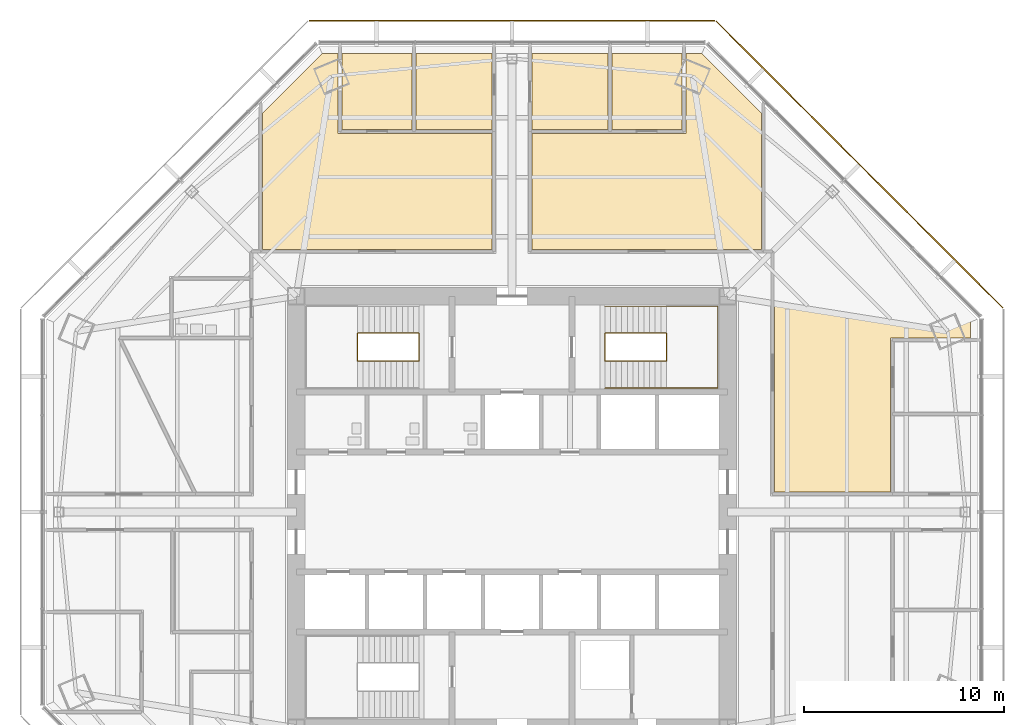
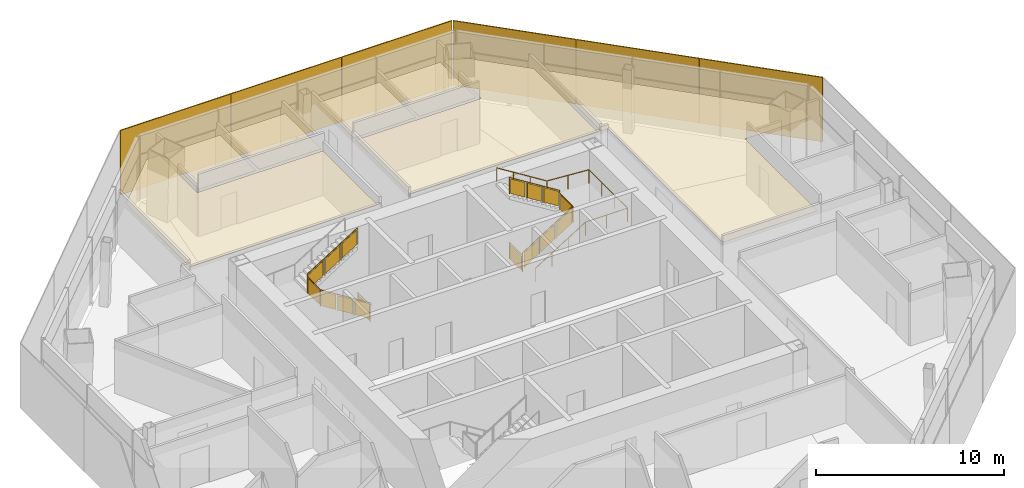
# One storey, part 14 of 15: 7 coverings, 6 shading devices, 3 railings.
"""IFC4 building model written with IfcOpenShell, lengths in metres."""

import ifcopenshell
import ifcopenshell.guid

model = None  # the IFC model being written
_history = None  # IfcOwnerHistory: only IFC2X3 demands one
_inside = {}  # id of a spatial element -> (the spatial element, [elements in it])
_under = {}  # id of a project, library or spatial element -> (it, [spatial elements below it])
_declared = {}  # id of a project -> (the project, [libraries it declares])
_typed = {}  # id of a type object -> (the type object, [elements of that type])
_made_of = {}  # id of a material, layer set ... -> (it, [elements and type objects made of it])


def new_model(schema):
    """Start an empty IFC model of exactly this schema.

    Asked for "IFC4X3", IfcOpenShell would pick the latest addendum, in which some entities
    have other attributes; the version numbers below select the first issue.
    IFC2X3 requires an IfcOwnerHistory on every rooted entity: one is made here for all.
    """
    global model, _history
    if schema == "IFC4X3":
        model = ifcopenshell.file(schema_version=(4, 3, 0, 0))
    else:
        model = ifcopenshell.file(schema=schema)
    _inside.clear()
    _under.clear()
    _declared.clear()
    _typed.clear()
    _made_of.clear()
    _history = None
    if model.schema == "IFC2X3":
        org = make("IfcOrganization", Name="unknown")
        user = make(
            "IfcPersonAndOrganization",
            ThePerson=make("IfcPerson", FamilyName="unknown"),
            TheOrganization=org,
        )
        app = make(
            "IfcApplication",
            ApplicationDeveloper=org,
            Version="unknown",
            ApplicationFullName="unknown",
            ApplicationIdentifier="unknown",
        )
        _history = make(
            "IfcOwnerHistory",
            OwningUser=user,
            OwningApplication=app,
            ChangeAction="ADDED",
            CreationDate=0,
        )
    return model


def make(cls, **values):
    """One entity of the class cls with the attributes given. An attribute that is None is left unset."""
    return model.create_entity(
        cls, **{name: value for name, value in values.items() if value is not None}
    )


def rooted(cls, **values):
    """An entity with a GlobalId (a new one), such as an element, a storey or a relation."""
    return make(cls, GlobalId=ifcopenshell.guid.new(), OwnerHistory=_history, **values)


def si_unit(unit_type, name, prefix=None):
    """IfcSIUnit, for example si_unit("LENGTHUNIT", "METRE", prefix="MILLI")."""
    return make("IfcSIUnit", UnitType=unit_type, Prefix=prefix, Name=name)


def assignment(units):
    """IfcUnitAssignment: the units of a project."""
    return None if units is None else make("IfcUnitAssignment", Units=units)


def point(xyz):
    """IfcCartesianPoint."""
    return None if xyz is None else make("IfcCartesianPoint", Coordinates=xyz)


def direction(xyz):
    """IfcDirection."""
    return None if xyz is None else make("IfcDirection", DirectionRatios=xyz)


def frame(location, z_axis=None, x_axis=None):
    """IfcAxis2Placement3D, a coordinate frame: its origin and axes. An axis left out is left unset."""
    return make(
        "IfcAxis2Placement3D",
        Location=point(location),
        Axis=direction(z_axis),
        RefDirection=direction(x_axis),
    )


def frame_2d(location, x_axis=None):
    """IfcAxis2Placement2D, a coordinate frame in the plane: its origin and x axis."""
    return make(
        "IfcAxis2Placement2D", Location=point(location), RefDirection=direction(x_axis)
    )


def origin():
    """The frame at (0, 0, 0) with its axes left unset."""
    return frame((0.0, 0.0, 0.0))


def origin_2d():
    """The frame at (0, 0) in the plane with its x axis left unset."""
    return frame_2d((0.0, 0.0))


def place(relative_to, where):
    """IfcLocalPlacement: puts the frame where relative to a parent placement (None: the world)."""
    return make(
        "IfcLocalPlacement", PlacementRelTo=relative_to, RelativePlacement=where
    )


def context(
    kind, dimensions, precision=None, world=None, true_north=None, identifier=None
):
    """IfcGeometricRepresentationContext, for example the 3D "Model" context."""
    return make(
        "IfcGeometricRepresentationContext",
        ContextIdentifier=identifier,
        ContextType=kind,
        CoordinateSpaceDimension=dimensions,
        Precision=precision,
        WorldCoordinateSystem=world,
        TrueNorth=true_north,
    )


def subcontext(parent, identifier, kind, view, scale=None):
    """IfcGeometricRepresentationSubContext, for example "Body" below "Model"."""
    return make(
        "IfcGeometricRepresentationSubContext",
        ContextIdentifier=identifier,
        ContextType=kind,
        ParentContext=parent,
        TargetScale=scale,
        TargetView=view,
    )


def project(units=None, contexts=None):
    """IfcProject with its units and contexts."""
    return rooted(
        "IfcProject",
        Name="project",
        RepresentationContexts=contexts,
        UnitsInContext=assignment(units),
    )


def spatial(cls, under=None, at=None, **own):
    """A site, building, storey or space (cls), placed at a placement, below another one or the project."""
    s = rooted(cls, ObjectPlacement=at, **own)
    if under is not None:
        _under.setdefault(under.id(), (under, []))[1].append(s)
    return s


def polyline(points):
    """IfcPolyline through the points."""
    return make("IfcPolyline", Points=[point(p) for p in points])


def profile(cls, at=None, kind="AREA", **sizes):
    """A parametric profile (cls). Its sizes go by their IFC names, for example OverallWidth=200.0."""
    return make(cls, ProfileType=kind, Position=at, **sizes)


def rectangle(**sizes):
    """IfcRectangleProfileDef."""
    return profile("IfcRectangleProfileDef", **sizes)


def circle(**sizes):
    """IfcCircleProfileDef."""
    return profile("IfcCircleProfileDef", **sizes)


def outline(outer, holes=None, kind="AREA"):
    """IfcArbitraryClosedProfileDef: a profile drawn as a closed curve; with holes, ...WithVoids."""
    if holes is None:
        return make("IfcArbitraryClosedProfileDef", ProfileType=kind, OuterCurve=outer)
    return make(
        "IfcArbitraryProfileDefWithVoids",
        ProfileType=kind,
        OuterCurve=outer,
        InnerCurves=holes,
    )


def extrude(swept, where, along, depth):
    """IfcExtrudedAreaSolid: the profile swept, set in the frame where, extruded along a direction by depth."""
    return make(
        "IfcExtrudedAreaSolid",
        SweptArea=swept,
        Position=where,
        ExtrudedDirection=direction(along),
        Depth=depth,
    )


def shape(context_of_items, identifier, shape_type, items):
    """IfcShapeRepresentation: the items that make up one representation, for example the "Body"."""
    return make(
        "IfcShapeRepresentation",
        ContextOfItems=context_of_items,
        RepresentationIdentifier=identifier,
        RepresentationType=shape_type,
        Items=items,
    )


def source(mapping_origin, context_of_items, identifier, shape_type, items):
    """IfcRepresentationMap: a shape defined once, which mapped items show again and again."""
    return make(
        "IfcRepresentationMap",
        MappingOrigin=mapping_origin,
        MappedRepresentation=shape(context_of_items, identifier, shape_type, items),
    )


def transform(
    local_origin,
    x_axis=None,
    y_axis=None,
    z_axis=None,
    scale=None,
    scale2=None,
    scale3=None,
    uniform=True,
):
    """IfcCartesianTransformationOperator3D, or its non-uniform kind. x_axis, y_axis, z_axis: its Axis1, 2, 3."""
    if uniform:
        return make(
            "IfcCartesianTransformationOperator3D",
            Axis1=direction(x_axis),
            Axis2=direction(y_axis),
            LocalOrigin=point(local_origin),
            Scale=scale,
            Axis3=direction(z_axis),
        )
    return make(
        "IfcCartesianTransformationOperator3DnonUniform",
        Axis1=direction(x_axis),
        Axis2=direction(y_axis),
        LocalOrigin=point(local_origin),
        Scale=scale,
        Axis3=direction(z_axis),
        Scale2=scale2,
        Scale3=scale3,
    )


def mapped(mapping_source, mapping_target):
    """IfcMappedItem: shows the shape of a source again, moved by a transform."""
    return make(
        "IfcMappedItem", MappingSource=mapping_source, MappingTarget=mapping_target
    )


def material(Name=None, Category=None):
    """IfcMaterial."""
    return make("IfcMaterial", Name=Name, Category=Category)


def layer(
    of_material, thickness, ventilated=None, Name=None, Category=None, Priority=None
):
    """IfcMaterialLayer: one layer of a wall or slab, of a material (None: an air gap)."""
    return make(
        "IfcMaterialLayer",
        Material=of_material,
        LayerThickness=thickness,
        IsVentilated=ventilated,
        Name=Name,
        Category=Category,
        Priority=Priority,
    )


def layer_set(layers, Name=None):
    """IfcMaterialLayerSet."""
    return make("IfcMaterialLayerSet", MaterialLayers=layers, LayerSetName=Name)


def made_of(thing, what):
    """Note that an element or type object is made of a material, layer set ...; save() writes the relation."""
    if what is not None:
        _made_of.setdefault(what.id(), (what, []))[1].append(thing)
    return thing


def type_object(cls, material=None, **own):
    """A type object (cls), such as IfcWallType, which elements share."""
    return made_of(rooted(cls, **own), material)


def type_shapes(of_type, sources):
    """Give a type object the sources (RepresentationMaps) that its elements show as mapped items."""
    of_type.RepresentationMaps = sources


def element(
    cls,
    number,
    at=None,
    inside=None,
    cuts=None,
    type_object=None,
    material=None,
    context=None,
    identifier="Body",
    shape_type=None,
    held_by="IfcProductDefinitionShape",
    body=None,
    shapes=None,
    **own,
):
    """One element of the class cls, such as IfcWall. Its Tag is "e" and its number.

    at: its placement. inside: the storey or other place that contains it. cuts: it is an
    opening in that element (IfcRelVoidsElement). A single representation is given by context,
    identifier, shape_type and body (its items); several are given by shapes. held_by: the class
    of the entity that holds the representations. save() writes the other relations.
    """
    e = rooted(cls, Tag="e%d" % number, ObjectPlacement=at, **own)
    if body is not None:
        shapes = [shape(context, identifier, shape_type, body)]
    if shapes is not None:
        e.Representation = make(held_by, Representations=shapes)
    if inside is not None:
        _inside.setdefault(inside.id(), (inside, []))[1].append(e)
    if cuts is not None:
        rooted(
            "IfcRelVoidsElement", RelatingBuildingElement=cuts, RelatedOpeningElement=e
        )
    if type_object is not None:
        _typed.setdefault(type_object.id(), (type_object, []))[1].append(e)
    return made_of(e, material)


def aggregate(whole, parts):
    """IfcRelAggregates: a whole, such as a stair, and the parts it consists of."""
    return rooted("IfcRelAggregates", RelatingObject=whole, RelatedObjects=parts)


def save(model, path):
    """Write the relations noted so far, then the file.

    IfcRelAggregates (storeys below a building ...), IfcRelContainedInSpatialStructure (elements
    in a storey), IfcRelDefinesByType, IfcRelAssociatesMaterial and IfcRelDeclares: one each for
    every whole, place, type object, material and project.
    """
    for whole, parts in _under.values():
        aggregate(whole, parts)
    for where, things in _inside.values():
        rooted(
            "IfcRelContainedInSpatialStructure",
            RelatedElements=things,
            RelatingStructure=where,
        )
    for kind, things in _typed.values():
        rooted("IfcRelDefinesByType", RelatedObjects=things, RelatingType=kind)
    for what, things in _made_of.values():
        rooted("IfcRelAssociatesMaterial", RelatedObjects=things, RelatingMaterial=what)
    for by, libraries in _declared.values():
        rooted("IfcRelDeclares", RelatingContext=by, RelatedDefinitions=libraries)
    model.write(path)


model = new_model("IFC4")

# Units and contexts
model_context = context("Model", 3, precision=1e-05, world=origin(), true_north=direction((0.0, 1.0)))
body_context = subcontext(model_context, "Body", "Model", "MODEL_VIEW")
ifc_project = project(units=[si_unit("LENGTHUNIT", "METRE"), si_unit("AREAUNIT", "SQUARE_METRE"), si_unit("VOLUMEUNIT", "CUBIC_METRE"), si_unit("PLANEANGLEUNIT", "RADIAN"), si_unit("MASSUNIT", "GRAM", prefix="KILO")], contexts=[model_context])

# Site, building, storey
site_placement = place(None, origin())
site = spatial("IfcSite", under=ifc_project, at=site_placement, CompositionType="ELEMENT")
building_placement = place(site_placement, origin())
building = spatial("IfcBuilding", under=site, at=building_placement, Name="Mashrafa Tower", CompositionType="ELEMENT")
storey_placement = place(building_placement, frame((0.0, 0.0, 159.60009765625)))
storey = spatial("IfcBuildingStorey", under=building, at=storey_placement, Name="L36", CompositionType="ELEMENT", Elevation=159.60009765625)

# Railings
ifc_material_1 = material(Name="Steel guard with glass infill", Category="steel")
railing_type_1 = type_object("IfcRailingType", Name="Stair guard 1100", PredefinedType="GUARDRAIL", material=ifc_material_1)
railing_1_placement = place(storey_placement, frame((-4.64990234375, 8.949951171875, 0.0)))
element("IfcRailing", 1, at=railing_1_placement, inside=storey, type_object=railing_type_1, Name="Stair S1 guard L36", PredefinedType="GUARDRAIL", context=body_context, shape_type="SweptSolid", body=[
    extrude(circle(Radius=0.02392578125, at=origin_2d()), frame((0.0, 0.0, 1.076171875), z_axis=(0.0, -1.0, 0.0), x_axis=(1.0, 0.0, 0.0)), (0.0, 0.0, 1.0), 1.39990234375),
    extrude(circle(Radius=0.02392578125, at=origin_2d()), frame((0.0, -1.39990234375, 1.076171875), z_axis=(0.0, 0.0, 1.0), x_axis=(1.0, 0.0, 0.0)), (0.0, 0.0, 1.0), 0.1748046875),
    extrude(circle(Radius=0.02392578125, at=origin_2d()), frame((0.0, -1.39990234375, 1.2509765625), z_axis=(-0.847998304005, 0.0, 0.529998940003), x_axis=(0.0, -1.0, 0.0)), (0.0, 0.0, 1.0), 3.632080078125),
    extrude(circle(Radius=0.02392578125, at=origin_2d()), frame((-3.080078125, -1.39990234375, 3.17578125), z_axis=(0.0, 1.0, 0.0), x_axis=(-1.0, 0.0, 0.0)), (0.0, 0.0, 1.0), 1.39990234375),
    extrude(circle(Radius=0.02392578125, at=origin_2d()), frame((-3.080078125, 0.0, 3.17578125), z_axis=(0.0, 0.0, 1.0), x_axis=(1.0, 0.0, 0.0)), (0.0, 0.0, 1.0), 0.175048828125),
    extrude(circle(Radius=0.02392578125, at=origin_2d()), frame((-3.080078125, 0.0, 3.35107421875), z_axis=(0.847998304005, 0.0, 0.529998940003), x_axis=(0.0, 1.0, 0.0)), (0.0, 0.0, 1.0), 3.632080078125),
    extrude(circle(Radius=0.02099609375, at=origin_2d()), origin(), (0.0, 0.0, 1.0), 1.052001953125),
    extrude(circle(Radius=0.02099609375, at=origin_2d()), frame((0.0, -1.39990234375, 0.0)), (0.0, 0.0, 1.0), 1.052001953125),
    extrude(circle(Radius=0.02099609375, at=origin_2d()), frame((0.0, -1.39990234375, 0.1748046875)), (0.0, 0.0, 1.0), 1.052001953125),
    extrude(circle(Radius=0.02099609375, at=origin_2d()), frame((-1.026611328125, -1.39990234375, 0.81640625)), (0.0, 0.0, 1.0), 1.052001953125),
    extrude(circle(Radius=0.02099609375, at=origin_2d()), frame((-2.053466796875, -1.39990234375, 1.458251953125)), (0.0, 0.0, 1.0), 1.052001953125),
    extrude(circle(Radius=0.02099609375, at=origin_2d()), frame((-3.080078125, -1.39990234375, 2.099853515625)), (0.0, 0.0, 1.0), 1.052001953125),
    extrude(circle(Radius=0.02099609375, at=origin_2d()), frame((-3.080078125, 0.0, 2.099853515625)), (0.0, 0.0, 1.0), 1.052001953125),
    extrude(circle(Radius=0.02099609375, at=origin_2d()), frame((-3.080078125, 0.0, 2.27490234375)), (0.0, 0.0, 1.0), 1.052001953125),
    extrude(circle(Radius=0.02099609375, at=origin_2d()), frame((-2.053466796875, 0.0, 2.91650390625)), (0.0, 0.0, 1.0), 1.052001953125),
    extrude(circle(Radius=0.02099609375, at=origin_2d()), frame((-1.026611328125, 0.0, 3.558349609375)), (0.0, 0.0, 1.0), 1.052001953125),
    extrude(circle(Radius=0.02099609375, at=origin_2d()), frame((0.0, 0.0, 4.199951171875)), (0.0, 0.0, 1.0), 1.052001953125),
    extrude(outline(polyline([(0.071044921875, 0.050048828125), (1.328857421875, 0.050048828125), (1.328857421875, 1.001953125), (0.071044921875, 1.001953125), (0.071044921875, 0.050048828125)])), frame((-0.006103515625, 0.0, 0.0), z_axis=(-1.0, 0.0, 0.0), x_axis=(0.0, -1.0, 0.0)), (0.0, 0.0, 1.0), 0.011962890625),
    extrude(outline(polyline([(0.071044921875, 0.094482421875), (0.955810546875, 0.647216796875), (0.955810546875, 1.599365234375), (0.071044921875, 1.04638671875), (0.071044921875, 0.094482421875)])), frame((0.0, -1.393798828125, 0.1748046875), z_axis=(0.0, 1.0, 0.0), x_axis=(-1.0, 0.0, 0.0)), (0.0, 0.0, 1.0), 0.011962890625),
    extrude(outline(polyline([(1.09765625, 0.736083984375), (1.982421875, 1.2890625), (1.982421875, 2.240966796875), (1.09765625, 1.68798828125), (1.09765625, 0.736083984375)])), frame((0.0, -1.393798828125, 0.1748046875), z_axis=(0.0, 1.0, 0.0), x_axis=(-1.0, 0.0, 0.0)), (0.0, 0.0, 1.0), 0.011962890625),
    extrude(outline(polyline([(2.124267578125, 1.377685546875), (3.009033203125, 1.9306640625), (3.009033203125, 2.882568359375), (2.124267578125, 2.329833984375), (2.124267578125, 1.377685546875)])), frame((0.0, -1.393798828125, 0.1748046875), z_axis=(0.0, 1.0, 0.0), x_axis=(-1.0, 0.0, 0.0)), (0.0, 0.0, 1.0), 0.011962890625),
    extrude(outline(polyline([(0.071044921875, 0.050048828125), (1.328857421875, 0.050048828125), (1.328857421875, 1.001953125), (0.071044921875, 1.001953125), (0.071044921875, 0.050048828125)])), frame((-3.073974609375, -1.39990234375, 2.099853515625), z_axis=(1.0, 0.0, 0.0), x_axis=(0.0, 1.0, 0.0)), (0.0, 0.0, 1.0), 0.011962890625),
    extrude(outline(polyline([(0.071044921875, 0.094482421875), (0.955810546875, 0.647216796875), (0.955810546875, 1.599365234375), (0.071044921875, 1.04638671875), (0.071044921875, 0.094482421875)])), frame((-3.080078125, -0.006103515625, 2.27490234375), z_axis=(0.0, -1.0, 0.0), x_axis=(1.0, 0.0, 0.0)), (0.0, 0.0, 1.0), 0.011962890625),
    extrude(outline(polyline([(1.09765625, 0.736083984375), (1.982421875, 1.2890625), (1.982421875, 2.240966796875), (1.09765625, 1.68798828125), (1.09765625, 0.736083984375)])), frame((-3.080078125, -0.006103515625, 2.27490234375), z_axis=(0.0, -1.0, 0.0), x_axis=(1.0, 0.0, 0.0)), (0.0, 0.0, 1.0), 0.011962890625),
    extrude(outline(polyline([(2.124267578125, 1.377685546875), (3.009033203125, 1.9306640625), (3.009033203125, 2.882568359375), (2.124267578125, 2.329833984375), (2.124267578125, 1.377685546875)])), frame((-3.080078125, -0.006103515625, 2.27490234375), z_axis=(0.0, -1.0, 0.0), x_axis=(1.0, 0.0, 0.0)), (0.0, 0.0, 1.0), 0.011962890625),
])
railing_2_placement = place(storey_placement, frame((4.64990234375, 8.949951171875, 0.0)))
element("IfcRailing", 2, at=railing_2_placement, inside=storey, type_object=railing_type_1, Name="Stair S2 guard L36", PredefinedType="GUARDRAIL", context=body_context, shape_type="SweptSolid", body=[
    extrude(circle(Radius=0.02392578125, at=origin_2d()), frame((0.0, 0.0, 1.076171875), z_axis=(0.0, -1.0, 0.0), x_axis=(1.0, 0.0, 0.0)), (0.0, 0.0, 1.0), 1.39990234375),
    extrude(circle(Radius=0.02392578125, at=origin_2d()), frame((0.0, -1.39990234375, 1.076171875), z_axis=(0.0, 0.0, 1.0), x_axis=(1.0, 0.0, 0.0)), (0.0, 0.0, 1.0), 0.1748046875),
    extrude(circle(Radius=0.02392578125, at=origin_2d()), frame((0.0, -1.39990234375, 1.2509765625), z_axis=(0.847998304005, 0.0, 0.529998940003), x_axis=(0.0, 1.0, 0.0)), (0.0, 0.0, 1.0), 3.632080078125),
    extrude(circle(Radius=0.02392578125, at=origin_2d()), frame((3.080078125, -1.39990234375, 3.17578125), z_axis=(0.0, 1.0, 0.0), x_axis=(-1.0, 0.0, 0.0)), (0.0, 0.0, 1.0), 1.39990234375),
    extrude(circle(Radius=0.02392578125, at=origin_2d()), frame((3.080078125, 0.0, 3.17578125), z_axis=(0.0, 0.0, 1.0), x_axis=(1.0, 0.0, 0.0)), (0.0, 0.0, 1.0), 0.175048828125),
    extrude(circle(Radius=0.02392578125, at=origin_2d()), frame((3.080078125, 0.0, 3.35107421875), z_axis=(-0.847998304005, 0.0, 0.529998940003), x_axis=(0.0, -1.0, 0.0)), (0.0, 0.0, 1.0), 3.632080078125),
    extrude(circle(Radius=0.02099609375, at=origin_2d()), origin(), (0.0, 0.0, 1.0), 1.052001953125),
    extrude(circle(Radius=0.02099609375, at=origin_2d()), frame((0.0, -1.39990234375, 0.0)), (0.0, 0.0, 1.0), 1.052001953125),
    extrude(circle(Radius=0.02099609375, at=origin_2d()), frame((0.0, -1.39990234375, 0.1748046875)), (0.0, 0.0, 1.0), 1.052001953125),
    extrude(circle(Radius=0.02099609375, at=origin_2d()), frame((1.026611328125, -1.39990234375, 0.81640625)), (0.0, 0.0, 1.0), 1.052001953125),
    extrude(circle(Radius=0.02099609375, at=origin_2d()), frame((2.053466796875, -1.39990234375, 1.458251953125)), (0.0, 0.0, 1.0), 1.052001953125),
    extrude(circle(Radius=0.02099609375, at=origin_2d()), frame((3.080078125, -1.39990234375, 2.099853515625)), (0.0, 0.0, 1.0), 1.052001953125),
    extrude(circle(Radius=0.02099609375, at=origin_2d()), frame((3.080078125, 0.0, 2.099853515625)), (0.0, 0.0, 1.0), 1.052001953125),
    extrude(circle(Radius=0.02099609375, at=origin_2d()), frame((3.080078125, 0.0, 2.27490234375)), (0.0, 0.0, 1.0), 1.052001953125),
    extrude(circle(Radius=0.02099609375, at=origin_2d()), frame((2.053466796875, 0.0, 2.91650390625)), (0.0, 0.0, 1.0), 1.052001953125),
    extrude(circle(Radius=0.02099609375, at=origin_2d()), frame((1.026611328125, 0.0, 3.558349609375)), (0.0, 0.0, 1.0), 1.052001953125),
    extrude(circle(Radius=0.02099609375, at=origin_2d()), frame((0.0, 0.0, 4.199951171875)), (0.0, 0.0, 1.0), 1.052001953125),
    extrude(outline(polyline([(0.071044921875, 0.050048828125), (1.328857421875, 0.050048828125), (1.328857421875, 1.001953125), (0.071044921875, 1.001953125), (0.071044921875, 0.050048828125)])), frame((-0.006103515625, 0.0, 0.0), z_axis=(-1.0, 0.0, 0.0), x_axis=(0.0, -1.0, 0.0)), (0.0, 0.0, 1.0), 0.011962890625),
    extrude(outline(polyline([(0.071044921875, 0.094482421875), (0.955810546875, 0.647216796875), (0.955810546875, 1.599365234375), (0.071044921875, 1.04638671875), (0.071044921875, 0.094482421875)])), frame((0.0, -1.406005859375, 0.1748046875), z_axis=(0.0, -1.0, 0.0), x_axis=(1.0, 0.0, 0.0)), (0.0, 0.0, 1.0), 0.011962890625),
    extrude(outline(polyline([(1.09765625, 0.736083984375), (1.982421875, 1.2890625), (1.982421875, 2.240966796875), (1.09765625, 1.68798828125), (1.09765625, 0.736083984375)])), frame((0.0, -1.406005859375, 0.1748046875), z_axis=(0.0, -1.0, 0.0), x_axis=(1.0, 0.0, 0.0)), (0.0, 0.0, 1.0), 0.011962890625),
    extrude(outline(polyline([(2.124267578125, 1.377685546875), (3.009033203125, 1.9306640625), (3.009033203125, 2.882568359375), (2.124267578125, 2.329833984375), (2.124267578125, 1.377685546875)])), frame((0.0, -1.406005859375, 0.1748046875), z_axis=(0.0, -1.0, 0.0), x_axis=(1.0, 0.0, 0.0)), (0.0, 0.0, 1.0), 0.011962890625),
    extrude(outline(polyline([(0.071044921875, 0.050048828125), (1.328857421875, 0.050048828125), (1.328857421875, 1.001953125), (0.071044921875, 1.001953125), (0.071044921875, 0.050048828125)])), frame((3.086181640625, -1.39990234375, 2.099853515625), z_axis=(1.0, 0.0, 0.0), x_axis=(0.0, 1.0, 0.0)), (0.0, 0.0, 1.0), 0.011962890625),
    extrude(outline(polyline([(0.071044921875, 0.094482421875), (0.955810546875, 0.647216796875), (0.955810546875, 1.599365234375), (0.071044921875, 1.04638671875), (0.071044921875, 0.094482421875)])), frame((3.080078125, 0.006103515625, 2.27490234375), z_axis=(0.0, 1.0, 0.0), x_axis=(-1.0, 0.0, 0.0)), (0.0, 0.0, 1.0), 0.011962890625),
    extrude(outline(polyline([(1.09765625, 0.736083984375), (1.982421875, 1.2890625), (1.982421875, 2.240966796875), (1.09765625, 1.68798828125), (1.09765625, 0.736083984375)])), frame((3.080078125, 0.006103515625, 2.27490234375), z_axis=(0.0, 1.0, 0.0), x_axis=(-1.0, 0.0, 0.0)), (0.0, 0.0, 1.0), 0.011962890625),
    extrude(outline(polyline([(2.124267578125, 1.377685546875), (3.009033203125, 1.9306640625), (3.009033203125, 2.882568359375), (2.124267578125, 2.329833984375), (2.124267578125, 1.377685546875)])), frame((3.080078125, 0.006103515625, 2.27490234375), z_axis=(0.0, 1.0, 0.0), x_axis=(-1.0, 0.0, 0.0)), (0.0, 0.0, 1.0), 0.011962890625),
])
ifc_material_2 = material(Name="Steel", Category="steel")
railing_type_2 = type_object("IfcRailingType", Name="Stair handrail 900", PredefinedType="HANDRAIL", material=ifc_material_2)
railing_3_placement = place(storey_placement, frame((4.64990234375, 6.199951171875, 0.1748046875)))
element("IfcRailing", 3, at=railing_3_placement, inside=storey, type_object=railing_type_2, Name="Stair S2 handrail L36", PredefinedType="HANDRAIL", context=body_context, shape_type="SweptSolid", body=[
    extrude(circle(Radius=0.02392578125, at=origin_2d()), frame((0.0, 0.0, 0.8759765625), z_axis=(0.847998304005, 0.0, 0.529998940003), x_axis=(0.0, 1.0, 0.0)), (0.0, 0.0, 1.0), 3.632080078125),
    extrude(circle(Radius=0.02392578125, at=origin_2d()), frame((3.080078125, 0.0, 2.80078125), z_axis=(1.0, 0.0, 0.0), x_axis=(0.0, 1.0, 0.0)), (0.0, 0.0, 1.0), 2.570068359375),
    extrude(circle(Radius=0.02392578125, at=origin_2d()), frame((5.650146484375, 0.0, 2.80078125), z_axis=(0.0, 1.0, 0.0), x_axis=(-1.0, 0.0, 0.0)), (0.0, 0.0, 1.0), 4.10009765625),
    extrude(circle(Radius=0.02392578125, at=origin_2d()), frame((5.650146484375, 4.10009765625, 2.80078125), z_axis=(-0.997688514158, 0.0, 0.067953136188), x_axis=(0.0, -1.0, 0.0)), (0.0, 0.0, 1.0), 2.575927734375),
    extrude(circle(Radius=0.02392578125, at=origin_2d()), frame((3.080078125, 4.10009765625, 2.97607421875), z_axis=(-0.847998304005, 0.0, 0.529998940003), x_axis=(0.0, -1.0, 0.0)), (0.0, 0.0, 1.0), 3.632080078125),
    extrude(circle(Radius=0.02099609375, at=origin_2d()), origin(), (0.0, 0.0, 1.0), 0.851806640625),
    extrude(circle(Radius=0.02099609375, at=origin_2d()), frame((1.026611328125, 0.0, 0.6416015625)), (0.0, 0.0, 1.0), 0.851806640625),
    extrude(circle(Radius=0.02099609375, at=origin_2d()), frame((2.053466796875, 0.0, 1.283447265625)), (0.0, 0.0, 1.0), 0.851806640625),
    extrude(circle(Radius=0.02099609375, at=origin_2d()), frame((3.080078125, 0.0, 1.925048828125)), (0.0, 0.0, 1.0), 0.851806640625),
    extrude(circle(Radius=0.02099609375, at=origin_2d()), frame((4.365234375, 0.0, 1.925048828125)), (0.0, 0.0, 1.0), 0.851806640625),
    extrude(circle(Radius=0.02099609375, at=origin_2d()), frame((5.650146484375, 0.0, 1.925048828125)), (0.0, 0.0, 1.0), 0.851806640625),
    extrude(circle(Radius=0.02099609375, at=origin_2d()), frame((5.650146484375, 1.36669921875, 1.925048828125)), (0.0, 0.0, 1.0), 0.851806640625),
    extrude(circle(Radius=0.02099609375, at=origin_2d()), frame((5.650146484375, 2.7333984375, 1.925048828125)), (0.0, 0.0, 1.0), 0.851806640625),
    extrude(circle(Radius=0.02099609375, at=origin_2d()), frame((5.650146484375, 4.10009765625, 1.925048828125)), (0.0, 0.0, 1.0), 0.851806640625),
    extrude(circle(Radius=0.02099609375, at=origin_2d()), frame((4.365234375, 4.10009765625, 2.0126953125)), (0.0, 0.0, 1.0), 0.851806640625),
    extrude(circle(Radius=0.02099609375, at=origin_2d()), frame((3.080078125, 4.10009765625, 2.10009765625)), (0.0, 0.0, 1.0), 0.851806640625),
    extrude(circle(Radius=0.02099609375, at=origin_2d()), frame((2.053466796875, 4.10009765625, 2.74169921875)), (0.0, 0.0, 1.0), 0.851806640625),
    extrude(circle(Radius=0.02099609375, at=origin_2d()), frame((1.026611328125, 4.10009765625, 3.383544921875)), (0.0, 0.0, 1.0), 0.851806640625),
    extrude(circle(Radius=0.02099609375, at=origin_2d()), frame((0.0, 4.10009765625, 4.025146484375)), (0.0, 0.0, 1.0), 0.851806640625),
])

# Coverings
ifc_material_3 = material(Name="Mineral fibre tile on suspension grid")
ifc_layer_1 = layer(ifc_material_3, 0.014892578125)
ifc_layer_set_1 = layer_set([ifc_layer_1], Name="Suspended ceiling mineral tile 15")
covering_type = type_object("IfcCoveringType", Name="Suspended ceiling mineral tile 15", PredefinedType="CEILING", material=ifc_layer_set_1)
covering_1_placement = place(storey_placement, frame((0.0, 0.0, 2.89990234375)))
element("IfcCovering", 4, at=covering_1_placement, inside=storey, type_object=covering_type, Name="Ceiling Serviced Office 36-NA-1", PredefinedType="CEILING", context=body_context, shape_type="SweptSolid", body=[
    extrude(outline(polyline([(-4.800048828125, 22.949951171875), (-1.0, 22.949951171875), (-1.0, 19.14990234375), (-4.800048828125, 19.14990234375), (-4.800048828125, 22.949951171875)])), origin(), (0.0, 0.0, 1.0), 0.014892578125),
])
covering_2_placement = place(storey_placement, frame((0.0, 0.0, 2.89990234375)))
element("IfcCovering", 5, at=covering_2_placement, inside=storey, type_object=covering_type, Name="Ceiling Serviced Office 36-NW2", PredefinedType="CEILING", context=body_context, shape_type="SweptSolid", body=[
    extrude(outline(polyline([(-8.5, 22.949951171875), (-5.0, 22.949951171875), (-5.0, 19.14990234375), (-8.5, 19.14990234375), (-8.5, 22.949951171875)])), origin(), (0.0, 0.0, 1.0), 0.014892578125),
])
covering_3_placement = place(storey_placement, frame((0.0, 0.0, 2.89990234375)))
element("IfcCovering", 6, at=covering_3_placement, inside=storey, type_object=covering_type, Name="Ceiling Serviced Office 36-NE2", PredefinedType="CEILING", context=body_context, shape_type="SweptSolid", body=[
    extrude(outline(polyline([(5.0, 22.949951171875), (8.5, 22.949951171875), (8.5, 19.14990234375), (5.0, 19.14990234375), (5.0, 22.949951171875)])), origin(), (0.0, 0.0, 1.0), 0.014892578125),
])
covering_4_placement = place(storey_placement, frame((0.0, 0.0, 2.89990234375)))
element("IfcCovering", 7, at=covering_4_placement, inside=storey, type_object=covering_type, Name="Ceiling Serviced Office 36-NB-2", PredefinedType="CEILING", context=body_context, shape_type="SweptSolid", body=[
    extrude(outline(polyline([(1.0, 22.949951171875), (4.800048828125, 22.949951171875), (4.800048828125, 19.14990234375), (1.0, 19.14990234375), (1.0, 22.949951171875)])), origin(), (0.0, 0.0, 1.0), 0.014892578125),
])
covering_5_placement = place(storey_placement, frame((0.0, 0.0, 2.89990234375)))
element("IfcCovering", 8, at=covering_5_placement, inside=storey, type_object=covering_type, Name="Ceiling Business Centre Suite 36-NE1", PredefinedType="CEILING", context=body_context, shape_type="SweptSolid", body=[
    extrude(outline(polyline([(12.699951171875, 13.14990234375), (12.699951171875, 19.756103515625), (22.949951171875, 9.506103515625), (22.949951171875, 8.699951171875), (18.949951171875, 8.699951171875), (18.949951171875, 1.0), (13.14990234375, 1.0), (13.14990234375, 13.14990234375), (12.699951171875, 13.14990234375)])), origin(), (0.0, 0.0, 1.0), 0.014892578125),
])
covering_6_placement = place(storey_placement, frame((0.0, 0.0, 2.89990234375)))
element("IfcCovering", 9, at=covering_6_placement, inside=storey, type_object=covering_type, Name="Ceiling Business Centre Lounge 36-NE2", PredefinedType="CEILING", context=body_context, shape_type="SweptSolid", body=[
    extrude(outline(polyline([(8.699951171875, 22.949951171875), (9.506103515625, 22.949951171875), (12.5, 19.9560546875), (12.5, 13.14990234375), (1.0, 13.14990234375), (1.0, 18.949951171875), (8.699951171875, 18.949951171875), (8.699951171875, 22.949951171875)])), origin(), (0.0, 0.0, 1.0), 0.014892578125),
])
covering_7_placement = place(storey_placement, frame((0.0, 0.0, 2.89990234375)))
element("IfcCovering", 10, at=covering_7_placement, inside=storey, type_object=covering_type, Name="Ceiling Business Centre Lounge 36-NW2", PredefinedType="CEILING", context=body_context, shape_type="SweptSolid", body=[
    extrude(outline(polyline([(-12.5, 13.14990234375), (-12.5, 19.9560546875), (-9.506103515625, 22.949951171875), (-8.699951171875, 22.949951171875), (-8.699951171875, 18.949951171875), (-1.0, 18.949951171875), (-1.0, 13.14990234375), (-12.5, 13.14990234375)])), origin(), (0.0, 0.0, 1.0), 0.014892578125),
])

# Shading devices
ifc_material_4 = material(Name="Perforated aluminium plate, eight-point star pattern", Category="aluminium")
ifc_layer_2 = layer(ifc_material_4, 0.06005859375)
ifc_layer_set_2 = layer_set([ifc_layer_2], Name="Mashrabiya screen panel office zone 2, 40 percent open")
shading_device_type = type_object("IfcShadingDeviceType", Name="Mashrabiya screen panel office zone 2, 40 percent open", PredefinedType="SHUTTER", material=ifc_layer_set_2)
shared_shape = source(origin(), body_context, "Body", "SweptSolid", [
    extrude(rectangle(XDim=6.758056640625, YDim=0.06005859375, at=origin_2d()), origin(), (0.0, 0.0, 1.0), 4.179931640625),
])
type_shapes(shading_device_type, [shared_shape])
for number, where, z_axis, x_axis, name in (
    (11, (22.1875, 12.601806640625, -0.14990234375), (0.0, 0.0, 1.0), (-0.707106781187, 0.707106781187, 0.0), "Mashrabiya screen L36 north-east 1"),
    (12, (17.394775390625, 17.394775390625, -0.14990234375), (0.0, 0.0, 1.0), (-0.707106781187, 0.707106781187, 0.0), "Mashrabiya screen L36 north-east 2"),
    (13, (12.601806640625, 22.1875, -0.14990234375), (0.0, 0.0, 1.0), (-0.707106781187, 0.707106781187, 0.0), "Mashrabiya screen L36 north-east 3"),
    (14, (6.778076171875, 24.599853515625, -0.14990234375), (0.0, 0.0, 1.0), (-1.0, 0.0, 0.0), "Mashrabiya screen L36 north 1"),
    (15, (0.0, 24.599853515625, -0.14990234375), (0.0, 0.0, 1.0), (-1.0, 0.0, 0.0), "Mashrabiya screen L36 north 2"),
    (16, (-6.778076171875, 24.599853515625, -0.14990234375), (0.0, 0.0, 1.0), (-1.0, 0.0, 0.0), "Mashrabiya screen L36 north 3"),
):
    element("IfcShadingDevice", number, at=place(storey_placement, frame(where, z_axis=z_axis, x_axis=x_axis)), inside=storey, type_object=shading_device_type, Name=name, PredefinedType="SHUTTER", context=body_context, shape_type="MappedRepresentation", body=[
        mapped(shared_shape, transform((0.0, 0.0, 0.0))),
    ])

save(model, "model.ifc")
